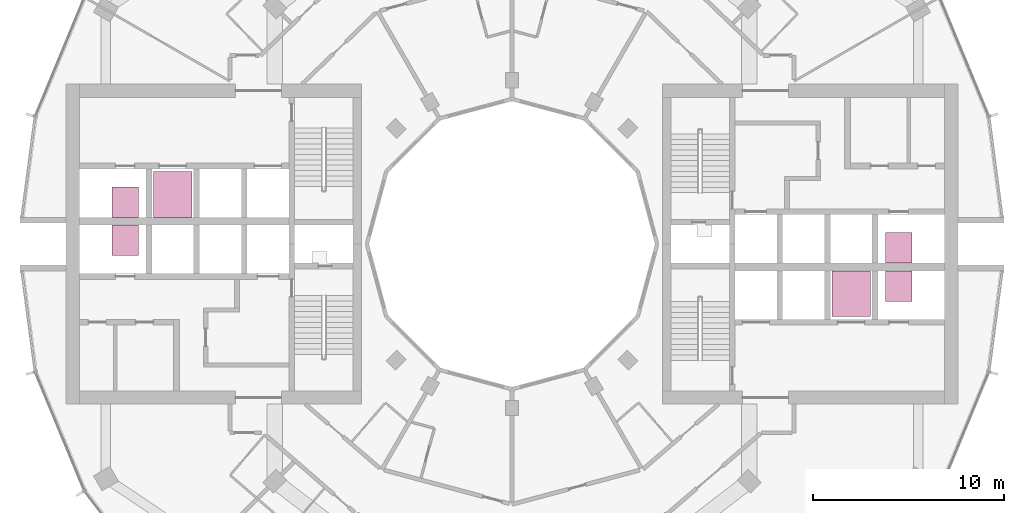
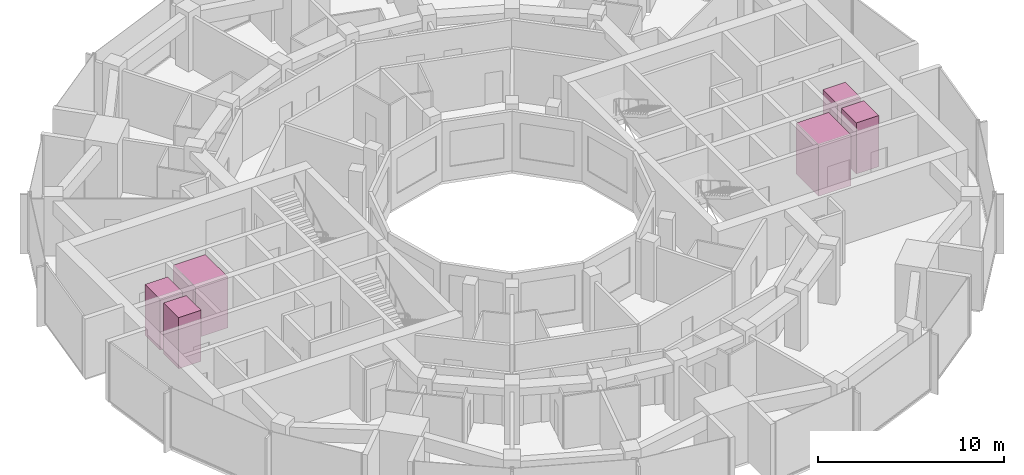
# One storey, part 15 of 15: 6 transport elements.
"""IFC4 building model written with IfcOpenShell, lengths in metres."""

import ifcopenshell
import ifcopenshell.guid

model = None  # the IFC model being written
_history = None  # IfcOwnerHistory: only IFC2X3 demands one
_inside = {}  # id of a spatial element -> (the spatial element, [elements in it])
_under = {}  # id of a project, library or spatial element -> (it, [spatial elements below it])
_declared = {}  # id of a project -> (the project, [libraries it declares])
_typed = {}  # id of a type object -> (the type object, [elements of that type])
_made_of = {}  # id of a material, layer set ... -> (it, [elements and type objects made of it])


def new_model(schema):
    """Start an empty IFC model of exactly this schema.

    Asked for "IFC4X3", IfcOpenShell would pick the latest addendum, in which some entities
    have other attributes; the version numbers below select the first issue.
    IFC2X3 requires an IfcOwnerHistory on every rooted entity: one is made here for all.
    """
    global model, _history
    if schema == "IFC4X3":
        model = ifcopenshell.file(schema_version=(4, 3, 0, 0))
    else:
        model = ifcopenshell.file(schema=schema)
    _inside.clear()
    _under.clear()
    _declared.clear()
    _typed.clear()
    _made_of.clear()
    _history = None
    if model.schema == "IFC2X3":
        org = make("IfcOrganization", Name="unknown")
        user = make(
            "IfcPersonAndOrganization",
            ThePerson=make("IfcPerson", FamilyName="unknown"),
            TheOrganization=org,
        )
        app = make(
            "IfcApplication",
            ApplicationDeveloper=org,
            Version="unknown",
            ApplicationFullName="unknown",
            ApplicationIdentifier="unknown",
        )
        _history = make(
            "IfcOwnerHistory",
            OwningUser=user,
            OwningApplication=app,
            ChangeAction="ADDED",
            CreationDate=0,
        )
    return model


def make(cls, **values):
    """One entity of the class cls with the attributes given. An attribute that is None is left unset."""
    return model.create_entity(
        cls, **{name: value for name, value in values.items() if value is not None}
    )


def rooted(cls, **values):
    """An entity with a GlobalId (a new one), such as an element, a storey or a relation."""
    return make(cls, GlobalId=ifcopenshell.guid.new(), OwnerHistory=_history, **values)


def si_unit(unit_type, name, prefix=None):
    """IfcSIUnit, for example si_unit("LENGTHUNIT", "METRE", prefix="MILLI")."""
    return make("IfcSIUnit", UnitType=unit_type, Prefix=prefix, Name=name)


def assignment(units):
    """IfcUnitAssignment: the units of a project."""
    return None if units is None else make("IfcUnitAssignment", Units=units)


def point(xyz):
    """IfcCartesianPoint."""
    return None if xyz is None else make("IfcCartesianPoint", Coordinates=xyz)


def direction(xyz):
    """IfcDirection."""
    return None if xyz is None else make("IfcDirection", DirectionRatios=xyz)


def frame(location, z_axis=None, x_axis=None):
    """IfcAxis2Placement3D, a coordinate frame: its origin and axes. An axis left out is left unset."""
    return make(
        "IfcAxis2Placement3D",
        Location=point(location),
        Axis=direction(z_axis),
        RefDirection=direction(x_axis),
    )


def frame_2d(location, x_axis=None):
    """IfcAxis2Placement2D, a coordinate frame in the plane: its origin and x axis."""
    return make(
        "IfcAxis2Placement2D", Location=point(location), RefDirection=direction(x_axis)
    )


def origin():
    """The frame at (0, 0, 0) with its axes left unset."""
    return frame((0.0, 0.0, 0.0))


def origin_2d():
    """The frame at (0, 0) in the plane with its x axis left unset."""
    return frame_2d((0.0, 0.0))


def place(relative_to, where):
    """IfcLocalPlacement: puts the frame where relative to a parent placement (None: the world)."""
    return make(
        "IfcLocalPlacement", PlacementRelTo=relative_to, RelativePlacement=where
    )


def context(
    kind, dimensions, precision=None, world=None, true_north=None, identifier=None
):
    """IfcGeometricRepresentationContext, for example the 3D "Model" context."""
    return make(
        "IfcGeometricRepresentationContext",
        ContextIdentifier=identifier,
        ContextType=kind,
        CoordinateSpaceDimension=dimensions,
        Precision=precision,
        WorldCoordinateSystem=world,
        TrueNorth=true_north,
    )


def subcontext(parent, identifier, kind, view, scale=None):
    """IfcGeometricRepresentationSubContext, for example "Body" below "Model"."""
    return make(
        "IfcGeometricRepresentationSubContext",
        ContextIdentifier=identifier,
        ContextType=kind,
        ParentContext=parent,
        TargetScale=scale,
        TargetView=view,
    )


def project(units=None, contexts=None):
    """IfcProject with its units and contexts."""
    return rooted(
        "IfcProject",
        Name="project",
        RepresentationContexts=contexts,
        UnitsInContext=assignment(units),
    )


def spatial(cls, under=None, at=None, **own):
    """A site, building, storey or space (cls), placed at a placement, below another one or the project."""
    s = rooted(cls, ObjectPlacement=at, **own)
    if under is not None:
        _under.setdefault(under.id(), (under, []))[1].append(s)
    return s


def profile(cls, at=None, kind="AREA", **sizes):
    """A parametric profile (cls). Its sizes go by their IFC names, for example OverallWidth=200.0."""
    return make(cls, ProfileType=kind, Position=at, **sizes)


def rectangle(**sizes):
    """IfcRectangleProfileDef."""
    return profile("IfcRectangleProfileDef", **sizes)


def extrude(swept, where, along, depth):
    """IfcExtrudedAreaSolid: the profile swept, set in the frame where, extruded along a direction by depth."""
    return make(
        "IfcExtrudedAreaSolid",
        SweptArea=swept,
        Position=where,
        ExtrudedDirection=direction(along),
        Depth=depth,
    )


def shape(context_of_items, identifier, shape_type, items):
    """IfcShapeRepresentation: the items that make up one representation, for example the "Body"."""
    return make(
        "IfcShapeRepresentation",
        ContextOfItems=context_of_items,
        RepresentationIdentifier=identifier,
        RepresentationType=shape_type,
        Items=items,
    )


def material(Name=None, Category=None):
    """IfcMaterial."""
    return make("IfcMaterial", Name=Name, Category=Category)


def made_of(thing, what):
    """Note that an element or type object is made of a material, layer set ...; save() writes the relation."""
    if what is not None:
        _made_of.setdefault(what.id(), (what, []))[1].append(thing)
    return thing


def type_object(cls, material=None, **own):
    """A type object (cls), such as IfcWallType, which elements share."""
    return made_of(rooted(cls, **own), material)


def element(
    cls,
    number,
    at=None,
    inside=None,
    cuts=None,
    type_object=None,
    material=None,
    context=None,
    identifier="Body",
    shape_type=None,
    held_by="IfcProductDefinitionShape",
    body=None,
    shapes=None,
    **own,
):
    """One element of the class cls, such as IfcWall. Its Tag is "e" and its number.

    at: its placement. inside: the storey or other place that contains it. cuts: it is an
    opening in that element (IfcRelVoidsElement). A single representation is given by context,
    identifier, shape_type and body (its items); several are given by shapes. held_by: the class
    of the entity that holds the representations. save() writes the other relations.
    """
    e = rooted(cls, Tag="e%d" % number, ObjectPlacement=at, **own)
    if body is not None:
        shapes = [shape(context, identifier, shape_type, body)]
    if shapes is not None:
        e.Representation = make(held_by, Representations=shapes)
    if inside is not None:
        _inside.setdefault(inside.id(), (inside, []))[1].append(e)
    if cuts is not None:
        rooted(
            "IfcRelVoidsElement", RelatingBuildingElement=cuts, RelatedOpeningElement=e
        )
    if type_object is not None:
        _typed.setdefault(type_object.id(), (type_object, []))[1].append(e)
    return made_of(e, material)


def aggregate(whole, parts):
    """IfcRelAggregates: a whole, such as a stair, and the parts it consists of."""
    return rooted("IfcRelAggregates", RelatingObject=whole, RelatedObjects=parts)


def save(model, path):
    """Write the relations noted so far, then the file.

    IfcRelAggregates (storeys below a building ...), IfcRelContainedInSpatialStructure (elements
    in a storey), IfcRelDefinesByType, IfcRelAssociatesMaterial and IfcRelDeclares: one each for
    every whole, place, type object, material and project.
    """
    for whole, parts in _under.values():
        aggregate(whole, parts)
    for where, things in _inside.values():
        rooted(
            "IfcRelContainedInSpatialStructure",
            RelatedElements=things,
            RelatingStructure=where,
        )
    for kind, things in _typed.values():
        rooted("IfcRelDefinesByType", RelatedObjects=things, RelatingType=kind)
    for what, things in _made_of.values():
        rooted("IfcRelAssociatesMaterial", RelatedObjects=things, RelatingMaterial=what)
    for by, libraries in _declared.values():
        rooted("IfcRelDeclares", RelatingContext=by, RelatedDefinitions=libraries)
    model.write(path)


model = new_model("IFC4")

# Units and contexts
model_context = context("Model", 3, precision=1e-05, world=origin(), true_north=direction((0.0, 1.0)))
body_context = subcontext(model_context, "Body", "Model", "MODEL_VIEW")
ifc_project = project(units=[si_unit("LENGTHUNIT", "METRE"), si_unit("AREAUNIT", "SQUARE_METRE"), si_unit("VOLUMEUNIT", "CUBIC_METRE"), si_unit("PLANEANGLEUNIT", "RADIAN"), si_unit("MASSUNIT", "GRAM", prefix="KILO")], contexts=[model_context])

# Site, building, storey
site_placement = place(None, origin())
site = spatial("IfcSite", under=ifc_project, at=site_placement, CompositionType="ELEMENT")
building_placement = place(site_placement, origin())
building = spatial("IfcBuilding", under=site, at=building_placement, Name="Torre Brocal", CompositionType="ELEMENT")
storey_placement = place(building_placement, frame((0.0, 0.0, 141.89990234375)))
storey = spatial("IfcBuildingStorey", under=building, at=storey_placement, Name="L33", CompositionType="ELEMENT", Elevation=141.89990234375)

# Transport elements
ifc_material_1 = material(Name="Stainless steel AISI 316", Category="steel")
transport_element_type_1 = type_object("IfcTransportElementType", Name="PASSENGER LIFT 2000", PredefinedType="ELEVATOR", material=ifc_material_1)
for number, where, z_axis, x_axis, name in (
    (1, (97.800048828125, 72.39990234375, 0.0), (0.0, 0.0, 1.0), (1.0, 0.0, 0.0), "LOW RISE LIFT E-LR2"),
    (2, (62.199951171875, 77.60009765625, 0.0), (0.0, 0.0, 1.0), (1.0, 0.0, 0.0), "LOW RISE LIFT W-LR2"),
):
    element("IfcTransportElement", number, at=place(storey_placement, frame(where, z_axis=z_axis, x_axis=x_axis)), inside=storey, type_object=transport_element_type_1, Name=name, PredefinedType="ELEVATOR", context=body_context, shape_type="SweptSolid", body=[
        extrude(rectangle(XDim=2.0, YDim=2.39990234375, at=origin_2d()), origin(), (0.0, 0.0, 1.0), 3.35009765625),
    ])
ifc_material_2 = material(Name="Stainless steel AISI 316", Category="steel")
transport_element_type_2 = type_object("IfcTransportElementType", Name="PASSENGER LIFT 900", PredefinedType="ELEVATOR", material=ifc_material_2)
for number, where, z_axis, x_axis, name in (
    (3, (100.300048828125, 74.800048828125, 0.0), (0.0, 0.0, 1.0), (1.0, 0.0, 0.0), "LOW RISE LIFT E-LR1"),
    (4, (100.300048828125, 72.800048828125, 0.0), (0.0, 0.0, 1.0), (1.0, 0.0, 0.0), "LOW RISE LIFT E-LR3"),
    (5, (59.699951171875, 75.199951171875, 0.0), (0.0, 0.0, 1.0), (1.0, 0.0, 0.0), "LOW RISE LIFT W-LR1"),
    (6, (59.699951171875, 77.199951171875, 0.0), (0.0, 0.0, 1.0), (1.0, 0.0, 0.0), "LOW RISE LIFT W-LR3"),
):
    element("IfcTransportElement", number, at=place(storey_placement, frame(where, z_axis=z_axis, x_axis=x_axis)), inside=storey, type_object=transport_element_type_2, Name=name, PredefinedType="ELEVATOR", context=body_context, shape_type="SweptSolid", body=[
        extrude(rectangle(XDim=1.39990234375, YDim=1.60009765625, at=origin_2d()), origin(), (0.0, 0.0, 1.0), 3.35009765625),
    ])

save(model, "model.ifc")
